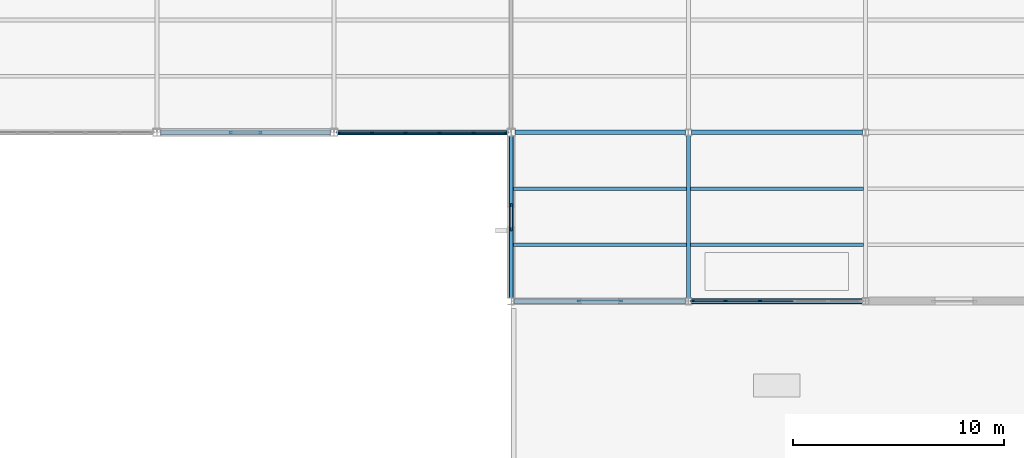
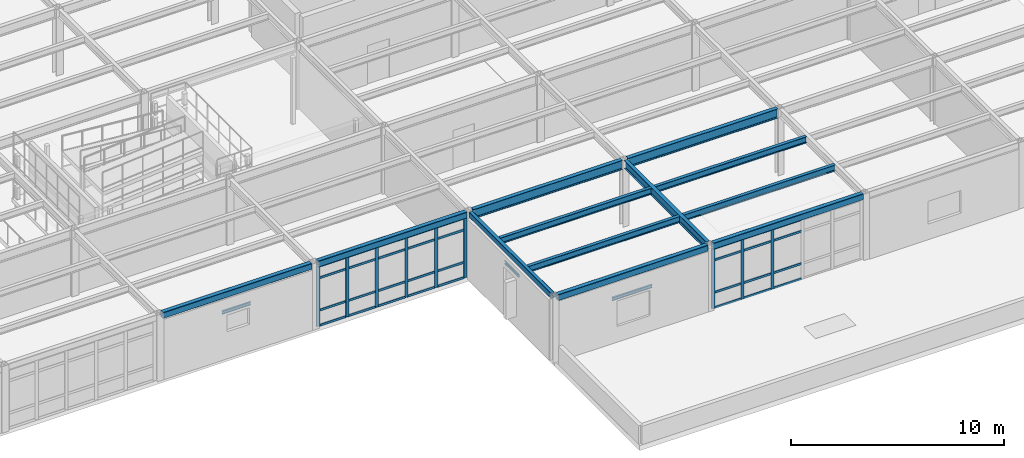
# One storey, part 21 of 138: 41 members, 15 beams, 2 elements without a shape of their own.
"""IFC4 building model written with IfcOpenShell, lengths in metres."""

from ifc_helpers import new_model, si_unit, direction, frame, origin, origin_2d, place, context, subcontext, project, spatial, rectangle, hollow_rectangle, i_section, u_section, extrude, material, layer, layer_set, material_profile, profile_set, type_object, element, aggregate, save


model = new_model("IFC4")

# Units and contexts
model_context = context("Model", 3, precision=1e-05, world=origin(), true_north=direction((0.0, 1.0)))
body_context = subcontext(model_context, "Body", "Model", "MODEL_VIEW")
ifc_project = project(units=[si_unit("LENGTHUNIT", "METRE"), si_unit("AREAUNIT", "SQUARE_METRE"), si_unit("VOLUMEUNIT", "CUBIC_METRE"), si_unit("PLANEANGLEUNIT", "RADIAN"), si_unit("MASSUNIT", "GRAM", prefix="KILO")], contexts=[model_context])

# Site, building, storey
site_placement = place(None, origin())
site = spatial("IfcSite", under=ifc_project, at=site_placement, CompositionType="ELEMENT")
building_placement = place(site_placement, origin())
building = spatial("IfcBuilding", under=site, at=building_placement, Name="Kranzveld Transit Interchange", CompositionType="ELEMENT")
storey_placement = place(building_placement, frame((0.0, 0.0, 5.43994140625)))
storey = spatial("IfcBuildingStorey", under=building, at=storey_placement, Name="L01", CompositionType="ELEMENT", Elevation=5.43994140625)

# Beam
ifc_material_1 = material(Name="Steel S355JR", Category="steel")
ifc_material_profile_1 = material_profile(ifc_material_1, i_section(OverallWidth=0.19189453125, OverallDepth=0.46337890625, WebThickness=0.010498046875, FlangeThickness=0.017578125, FilletRadius=0.01025390625, at=origin_2d()), Name="UB 457x191x89")
ifc_profile_set_1 = profile_set([ifc_material_profile_1], Name="Steel S355JR")
beam_type_1 = type_object("IfcBeamType", Name="Beam Steel UB 457x191x89 S355JR", PredefinedType="BEAM", material=ifc_profile_set_1)
beam_1_placement = place(storey_placement, frame((58.800048828125, 8.150146484375, 3.568359375), z_axis=(0.0, 1.0, 0.0), x_axis=(-1.0, 0.0, 0.0)))
element("IfcBeam", 1, at=beam_1_placement, inside=storey, type_object=beam_type_1, Name="L01 Girder 08/B-C", PredefinedType="BEAM", context=body_context, shape_type="SweptSolid", body=[
    extrude(i_section(OverallWidth=0.19189453125, OverallDepth=0.46337890625, WebThickness=0.010498046875, FlangeThickness=0.017578125, FilletRadius=0.01025390625, at=origin_2d()), origin(), (0.0, 0.0, 1.0), 7.69970703125),
])

# Curtain wall, members
ifc_material_2 = material(Name="Bronze-anodised thermally broken aluminium", Category="aluminium")
ifc_layer = layer(ifc_material_2, 0.155029296875)
ifc_layer_set = layer_set([ifc_layer], Name="Bronze-anodised thermally broken aluminium")
curtain_wall_type = type_object("IfcCurtainWallType", Name="Operations Courtyard Glazed Screen CW-6", PredefinedType="USERDEFINED", material=ifc_layer_set)
curtain_wall_1_placement = place(storey_placement, origin())
curtain_wall_1 = element("IfcCurtainWall", 2, at=curtain_wall_1_placement, inside=storey, type_object=curtain_wall_type, Name="L01 Curtain Wall 06/C-07/C", ObjectType="CURTAIN WALL", PredefinedType="USERDEFINED")
ifc_material_3 = material(Name="Bronze-anodised thermally broken aluminium", Category="aluminium")
ifc_material_profile_2 = material_profile(ifc_material_3, rectangle(XDim=0.06494140625, YDim=0.1650390625, at=origin_2d()), Name="ALU MULLION 65x165")
ifc_profile_set_2 = profile_set([ifc_material_profile_2], Name="Bronze-anodised thermally broken aluminium")
member_type_1 = type_object("IfcMemberType", Name="Curtain Wall Mullion 65x165 Alu", PredefinedType="MULLION", material=ifc_profile_set_2)
member_1_placement = place(storey_placement, frame((42.2197265625, 16.0, 0.0), z_axis=(0.0, 0.0, 1.0), x_axis=(0.0, 1.0, 0.0)))
member_1 = element("IfcMember", 3, at=member_1_placement, type_object=member_type_1, Name="CW-6 mullion 1", PredefinedType="MULLION", context=body_context, shape_type="SweptSolid", body=[
    extrude(rectangle(XDim=0.06494140625, YDim=0.1650390625, at=origin_2d()), origin(), (0.0, 0.0, 1.0), 3.449951171875),
])
member_2_placement = place(storey_placement, frame((43.79248046875, 16.0, 0.0), z_axis=(0.0, 0.0, 1.0), x_axis=(0.0, 1.0, 0.0)))
member_2 = element("IfcMember", 4, at=member_2_placement, type_object=member_type_1, Name="CW-6 mullion 2", PredefinedType="MULLION", context=body_context, shape_type="SweptSolid", body=[
    extrude(rectangle(XDim=0.06494140625, YDim=0.1650390625, at=origin_2d()), origin(), (0.0, 0.0, 1.0), 3.449951171875),
])
member_3_placement = place(storey_placement, frame((45.3974609375, 16.0, 0.0), z_axis=(0.0, 0.0, 1.0), x_axis=(0.0, 1.0, 0.0)))
member_3 = element("IfcMember", 5, at=member_3_placement, type_object=member_type_1, Name="CW-6 mullion 3", PredefinedType="MULLION", context=body_context, shape_type="SweptSolid", body=[
    extrude(rectangle(XDim=0.06494140625, YDim=0.1650390625, at=origin_2d()), origin(), (0.0, 0.0, 1.0), 3.449951171875),
])
member_4_placement = place(storey_placement, frame((47.00244140625, 16.0, 0.0), z_axis=(0.0, 0.0, 1.0), x_axis=(0.0, 1.0, 0.0)))
member_4 = element("IfcMember", 6, at=member_4_placement, type_object=member_type_1, Name="CW-6 mullion 4", PredefinedType="MULLION", context=body_context, shape_type="SweptSolid", body=[
    extrude(rectangle(XDim=0.06494140625, YDim=0.1650390625, at=origin_2d()), origin(), (0.0, 0.0, 1.0), 3.449951171875),
])
member_5_placement = place(storey_placement, frame((48.607666015625, 16.0, 0.0), z_axis=(0.0, 0.0, 1.0), x_axis=(0.0, 1.0, 0.0)))
member_5 = element("IfcMember", 7, at=member_5_placement, type_object=member_type_1, Name="CW-6 mullion 5", PredefinedType="MULLION", context=body_context, shape_type="SweptSolid", body=[
    extrude(rectangle(XDim=0.06494140625, YDim=0.1650390625, at=origin_2d()), origin(), (0.0, 0.0, 1.0), 3.449951171875),
])
member_6_placement = place(storey_placement, frame((50.18017578125, 16.0, 0.0), z_axis=(0.0, 0.0, 1.0), x_axis=(0.0, 1.0, 0.0)))
member_6 = element("IfcMember", 8, at=member_6_placement, type_object=member_type_1, Name="CW-6 mullion 6", PredefinedType="MULLION", context=body_context, shape_type="SweptSolid", body=[
    extrude(rectangle(XDim=0.06494140625, YDim=0.1650390625, at=origin_2d()), origin(), (0.0, 0.0, 1.0), 3.449951171875),
])

curtain_wall_2_placement = place(storey_placement, origin())
curtain_wall_2 = element("IfcCurtainWall", 9, at=curtain_wall_2_placement, inside=storey, type_object=curtain_wall_type, Name="L01 Curtain Wall 08/B-09/B", ObjectType="CURTAIN WALL", PredefinedType="USERDEFINED")
member_7_placement = place(storey_placement, frame((58.987060546875, 8.0, 0.0), z_axis=(0.0, 0.0, 1.0), x_axis=(0.0, 1.0, 0.0)))
member_7 = element("IfcMember", 10, at=member_7_placement, type_object=member_type_1, Name="CW-6 mullion 1", PredefinedType="MULLION", context=body_context, shape_type="SweptSolid", body=[
    extrude(rectangle(XDim=0.06494140625, YDim=0.1650390625, at=origin_2d()), origin(), (0.0, 0.0, 1.0), 3.449951171875),
])
member_8_placement = place(storey_placement, frame((60.57275390625, 8.0, 0.0), z_axis=(0.0, 0.0, 1.0), x_axis=(0.0, 1.0, 0.0)))
member_8 = element("IfcMember", 11, at=member_8_placement, type_object=member_type_1, Name="CW-6 mullion 2", PredefinedType="MULLION", context=body_context, shape_type="SweptSolid", body=[
    extrude(rectangle(XDim=0.06494140625, YDim=0.1650390625, at=origin_2d()), origin(), (0.0, 0.0, 1.0), 3.449951171875),
])
member_9_placement = place(storey_placement, frame((62.19091796875, 8.0, 0.0), z_axis=(0.0, 0.0, 1.0), x_axis=(0.0, 1.0, 0.0)))
member_9 = element("IfcMember", 12, at=member_9_placement, type_object=member_type_1, Name="CW-6 mullion 3", PredefinedType="MULLION", context=body_context, shape_type="SweptSolid", body=[
    extrude(rectangle(XDim=0.06494140625, YDim=0.1650390625, at=origin_2d()), origin(), (0.0, 0.0, 1.0), 3.449951171875),
])

# Member
ifc_material_4 = material(Name="Bronze-anodised thermally broken aluminium", Category="aluminium")
ifc_material_profile_3 = material_profile(ifc_material_4, rectangle(XDim=0.06005859375, YDim=0.125, at=origin_2d()), Name="ALU TRANSOM 60x125")
ifc_profile_set_3 = profile_set([ifc_material_profile_3], Name="Bronze-anodised thermally broken aluminium")
member_type_2 = type_object("IfcMemberType", Name="Curtain Wall Transom 60x125 Alu", PredefinedType="USERDEFINED", material=ifc_profile_set_3)
member_10_placement = place(storey_placement, frame((42.252197265625, 16.0, 0.030029296875), z_axis=(1.0, 0.0, 0.0), x_axis=(0.0, 1.0, 0.0)))
member_10 = element("IfcMember", 13, at=member_10_placement, type_object=member_type_2, Name="CW-6 transom 1.1", ObjectType="TRANSOM", PredefinedType="USERDEFINED", context=body_context, shape_type="SweptSolid", body=[
    extrude(rectangle(XDim=0.06005859375, YDim=0.125, at=origin_2d()), origin(), (0.0, 0.0, 1.0), 1.507568359375),
])

member_11_placement = place(storey_placement, frame((42.252197265625, 16.0, 0.900146484375), z_axis=(1.0, 0.0, 0.0), x_axis=(0.0, 1.0, 0.0)))
member_11 = element("IfcMember", 14, at=member_11_placement, type_object=member_type_2, Name="CW-6 transom 1.2", ObjectType="TRANSOM", PredefinedType="USERDEFINED", context=body_context, shape_type="SweptSolid", body=[
    extrude(rectangle(XDim=0.06005859375, YDim=0.125, at=origin_2d()), origin(), (0.0, 0.0, 1.0), 1.507568359375),
])

member_12_placement = place(storey_placement, frame((42.252197265625, 16.0, 2.75), z_axis=(1.0, 0.0, 0.0), x_axis=(0.0, 1.0, 0.0)))
member_12 = element("IfcMember", 15, at=member_12_placement, type_object=member_type_2, Name="CW-6 transom 1.3", ObjectType="TRANSOM", PredefinedType="USERDEFINED", context=body_context, shape_type="SweptSolid", body=[
    extrude(rectangle(XDim=0.06005859375, YDim=0.125, at=origin_2d()), origin(), (0.0, 0.0, 1.0), 1.507568359375),
])

member_13_placement = place(storey_placement, frame((42.252197265625, 16.0, 3.420166015625), z_axis=(1.0, 0.0, 0.0), x_axis=(0.0, 1.0, 0.0)))
member_13 = element("IfcMember", 16, at=member_13_placement, type_object=member_type_2, Name="CW-6 transom 1.4", ObjectType="TRANSOM", PredefinedType="USERDEFINED", context=body_context, shape_type="SweptSolid", body=[
    extrude(rectangle(XDim=0.06005859375, YDim=0.125, at=origin_2d()), origin(), (0.0, 0.0, 1.0), 1.507568359375),
])

member_14_placement = place(storey_placement, frame((43.824951171875, 16.0, 0.030029296875), z_axis=(1.0, 0.0, 0.0), x_axis=(0.0, 1.0, 0.0)))
member_14 = element("IfcMember", 17, at=member_14_placement, type_object=member_type_2, Name="CW-6 transom 2.1", ObjectType="TRANSOM", PredefinedType="USERDEFINED", context=body_context, shape_type="SweptSolid", body=[
    extrude(rectangle(XDim=0.06005859375, YDim=0.125, at=origin_2d()), origin(), (0.0, 0.0, 1.0), 1.5400390625),
])

member_15_placement = place(storey_placement, frame((43.824951171875, 16.0, 0.900146484375), z_axis=(1.0, 0.0, 0.0), x_axis=(0.0, 1.0, 0.0)))
member_15 = element("IfcMember", 18, at=member_15_placement, type_object=member_type_2, Name="CW-6 transom 2.2", ObjectType="TRANSOM", PredefinedType="USERDEFINED", context=body_context, shape_type="SweptSolid", body=[
    extrude(rectangle(XDim=0.06005859375, YDim=0.125, at=origin_2d()), origin(), (0.0, 0.0, 1.0), 1.5400390625),
])

member_16_placement = place(storey_placement, frame((43.824951171875, 16.0, 2.75), z_axis=(1.0, 0.0, 0.0), x_axis=(0.0, 1.0, 0.0)))
member_16 = element("IfcMember", 19, at=member_16_placement, type_object=member_type_2, Name="CW-6 transom 2.3", ObjectType="TRANSOM", PredefinedType="USERDEFINED", context=body_context, shape_type="SweptSolid", body=[
    extrude(rectangle(XDim=0.06005859375, YDim=0.125, at=origin_2d()), origin(), (0.0, 0.0, 1.0), 1.5400390625),
])

member_17_placement = place(storey_placement, frame((43.824951171875, 16.0, 3.420166015625), z_axis=(1.0, 0.0, 0.0), x_axis=(0.0, 1.0, 0.0)))
member_17 = element("IfcMember", 20, at=member_17_placement, type_object=member_type_2, Name="CW-6 transom 2.4", ObjectType="TRANSOM", PredefinedType="USERDEFINED", context=body_context, shape_type="SweptSolid", body=[
    extrude(rectangle(XDim=0.06005859375, YDim=0.125, at=origin_2d()), origin(), (0.0, 0.0, 1.0), 1.5400390625),
])

member_18_placement = place(storey_placement, frame((45.429931640625, 16.0, 0.030029296875), z_axis=(1.0, 0.0, 0.0), x_axis=(0.0, 1.0, 0.0)))
member_18 = element("IfcMember", 21, at=member_18_placement, type_object=member_type_2, Name="CW-6 transom 3.1", ObjectType="TRANSOM", PredefinedType="USERDEFINED", context=body_context, shape_type="SweptSolid", body=[
    extrude(rectangle(XDim=0.06005859375, YDim=0.125, at=origin_2d()), origin(), (0.0, 0.0, 1.0), 1.5400390625),
])

member_19_placement = place(storey_placement, frame((45.429931640625, 16.0, 0.900146484375), z_axis=(1.0, 0.0, 0.0), x_axis=(0.0, 1.0, 0.0)))
member_19 = element("IfcMember", 22, at=member_19_placement, type_object=member_type_2, Name="CW-6 transom 3.2", ObjectType="TRANSOM", PredefinedType="USERDEFINED", context=body_context, shape_type="SweptSolid", body=[
    extrude(rectangle(XDim=0.06005859375, YDim=0.125, at=origin_2d()), origin(), (0.0, 0.0, 1.0), 1.5400390625),
])

member_20_placement = place(storey_placement, frame((45.429931640625, 16.0, 2.75), z_axis=(1.0, 0.0, 0.0), x_axis=(0.0, 1.0, 0.0)))
member_20 = element("IfcMember", 23, at=member_20_placement, type_object=member_type_2, Name="CW-6 transom 3.3", ObjectType="TRANSOM", PredefinedType="USERDEFINED", context=body_context, shape_type="SweptSolid", body=[
    extrude(rectangle(XDim=0.06005859375, YDim=0.125, at=origin_2d()), origin(), (0.0, 0.0, 1.0), 1.5400390625),
])

member_21_placement = place(storey_placement, frame((45.429931640625, 16.0, 3.420166015625), z_axis=(1.0, 0.0, 0.0), x_axis=(0.0, 1.0, 0.0)))
member_21 = element("IfcMember", 24, at=member_21_placement, type_object=member_type_2, Name="CW-6 transom 3.4", ObjectType="TRANSOM", PredefinedType="USERDEFINED", context=body_context, shape_type="SweptSolid", body=[
    extrude(rectangle(XDim=0.06005859375, YDim=0.125, at=origin_2d()), origin(), (0.0, 0.0, 1.0), 1.5400390625),
])

member_22_placement = place(storey_placement, frame((47.03515625, 16.0, 0.030029296875), z_axis=(1.0, 0.0, 0.0), x_axis=(0.0, 1.0, 0.0)))
member_22 = element("IfcMember", 25, at=member_22_placement, type_object=member_type_2, Name="CW-6 transom 4.1", ObjectType="TRANSOM", PredefinedType="USERDEFINED", context=body_context, shape_type="SweptSolid", body=[
    extrude(rectangle(XDim=0.06005859375, YDim=0.125, at=origin_2d()), origin(), (0.0, 0.0, 1.0), 1.5400390625),
])

member_23_placement = place(storey_placement, frame((47.03515625, 16.0, 0.900146484375), z_axis=(1.0, 0.0, 0.0), x_axis=(0.0, 1.0, 0.0)))
member_23 = element("IfcMember", 26, at=member_23_placement, type_object=member_type_2, Name="CW-6 transom 4.2", ObjectType="TRANSOM", PredefinedType="USERDEFINED", context=body_context, shape_type="SweptSolid", body=[
    extrude(rectangle(XDim=0.06005859375, YDim=0.125, at=origin_2d()), origin(), (0.0, 0.0, 1.0), 1.5400390625),
])

member_24_placement = place(storey_placement, frame((47.03515625, 16.0, 2.75), z_axis=(1.0, 0.0, 0.0), x_axis=(0.0, 1.0, 0.0)))
member_24 = element("IfcMember", 27, at=member_24_placement, type_object=member_type_2, Name="CW-6 transom 4.3", ObjectType="TRANSOM", PredefinedType="USERDEFINED", context=body_context, shape_type="SweptSolid", body=[
    extrude(rectangle(XDim=0.06005859375, YDim=0.125, at=origin_2d()), origin(), (0.0, 0.0, 1.0), 1.5400390625),
])

member_25_placement = place(storey_placement, frame((47.03515625, 16.0, 3.420166015625), z_axis=(1.0, 0.0, 0.0), x_axis=(0.0, 1.0, 0.0)))
member_25 = element("IfcMember", 28, at=member_25_placement, type_object=member_type_2, Name="CW-6 transom 4.4", ObjectType="TRANSOM", PredefinedType="USERDEFINED", context=body_context, shape_type="SweptSolid", body=[
    extrude(rectangle(XDim=0.06005859375, YDim=0.125, at=origin_2d()), origin(), (0.0, 0.0, 1.0), 1.5400390625),
])

member_26_placement = place(storey_placement, frame((48.64013671875, 16.0, 0.030029296875), z_axis=(1.0, 0.0, 0.0), x_axis=(0.0, 1.0, 0.0)))
member_26 = element("IfcMember", 29, at=member_26_placement, type_object=member_type_2, Name="CW-6 transom 5.1", ObjectType="TRANSOM", PredefinedType="USERDEFINED", context=body_context, shape_type="SweptSolid", body=[
    extrude(rectangle(XDim=0.06005859375, YDim=0.125, at=origin_2d()), origin(), (0.0, 0.0, 1.0), 1.507568359375),
])

member_27_placement = place(storey_placement, frame((48.64013671875, 16.0, 0.900146484375), z_axis=(1.0, 0.0, 0.0), x_axis=(0.0, 1.0, 0.0)))
member_27 = element("IfcMember", 30, at=member_27_placement, type_object=member_type_2, Name="CW-6 transom 5.2", ObjectType="TRANSOM", PredefinedType="USERDEFINED", context=body_context, shape_type="SweptSolid", body=[
    extrude(rectangle(XDim=0.06005859375, YDim=0.125, at=origin_2d()), origin(), (0.0, 0.0, 1.0), 1.507568359375),
])

member_28_placement = place(storey_placement, frame((48.64013671875, 16.0, 2.75), z_axis=(1.0, 0.0, 0.0), x_axis=(0.0, 1.0, 0.0)))
member_28 = element("IfcMember", 31, at=member_28_placement, type_object=member_type_2, Name="CW-6 transom 5.3", ObjectType="TRANSOM", PredefinedType="USERDEFINED", context=body_context, shape_type="SweptSolid", body=[
    extrude(rectangle(XDim=0.06005859375, YDim=0.125, at=origin_2d()), origin(), (0.0, 0.0, 1.0), 1.507568359375),
])

member_29_placement = place(storey_placement, frame((48.64013671875, 16.0, 3.420166015625), z_axis=(1.0, 0.0, 0.0), x_axis=(0.0, 1.0, 0.0)))
member_29 = element("IfcMember", 32, at=member_29_placement, type_object=member_type_2, Name="CW-6 transom 5.4", ObjectType="TRANSOM", PredefinedType="USERDEFINED", context=body_context, shape_type="SweptSolid", body=[
    extrude(rectangle(XDim=0.06005859375, YDim=0.125, at=origin_2d()), origin(), (0.0, 0.0, 1.0), 1.507568359375),
])

aggregate(curtain_wall_1, [member_1, member_2, member_3, member_4, member_5, member_6, member_10, member_11, member_12, member_13, member_14, member_15, member_16, member_17, member_18, member_19, member_20, member_21, member_22, member_23, member_24, member_25, member_26, member_27, member_28, member_29])

member_30_placement = place(storey_placement, frame((59.01953125, 8.0, 0.030029296875), z_axis=(1.0, 0.0, 0.0), x_axis=(0.0, 1.0, 0.0)))
member_30 = element("IfcMember", 33, at=member_30_placement, type_object=member_type_2, Name="CW-6 transom 1.1", ObjectType="TRANSOM", PredefinedType="USERDEFINED", context=body_context, shape_type="SweptSolid", body=[
    extrude(rectangle(XDim=0.06005859375, YDim=0.125, at=origin_2d()), origin(), (0.0, 0.0, 1.0), 1.520751953125),
])

member_31_placement = place(storey_placement, frame((59.01953125, 8.0, 0.900146484375), z_axis=(1.0, 0.0, 0.0), x_axis=(0.0, 1.0, 0.0)))
member_31 = element("IfcMember", 34, at=member_31_placement, type_object=member_type_2, Name="CW-6 transom 1.2", ObjectType="TRANSOM", PredefinedType="USERDEFINED", context=body_context, shape_type="SweptSolid", body=[
    extrude(rectangle(XDim=0.06005859375, YDim=0.125, at=origin_2d()), origin(), (0.0, 0.0, 1.0), 1.520751953125),
])

member_32_placement = place(storey_placement, frame((59.01953125, 8.0, 2.75), z_axis=(1.0, 0.0, 0.0), x_axis=(0.0, 1.0, 0.0)))
member_32 = element("IfcMember", 35, at=member_32_placement, type_object=member_type_2, Name="CW-6 transom 1.3", ObjectType="TRANSOM", PredefinedType="USERDEFINED", context=body_context, shape_type="SweptSolid", body=[
    extrude(rectangle(XDim=0.06005859375, YDim=0.125, at=origin_2d()), origin(), (0.0, 0.0, 1.0), 1.520751953125),
])

member_33_placement = place(storey_placement, frame((59.01953125, 8.0, 3.420166015625), z_axis=(1.0, 0.0, 0.0), x_axis=(0.0, 1.0, 0.0)))
member_33 = element("IfcMember", 36, at=member_33_placement, type_object=member_type_2, Name="CW-6 transom 1.4", ObjectType="TRANSOM", PredefinedType="USERDEFINED", context=body_context, shape_type="SweptSolid", body=[
    extrude(rectangle(XDim=0.06005859375, YDim=0.125, at=origin_2d()), origin(), (0.0, 0.0, 1.0), 1.520751953125),
])

member_34_placement = place(storey_placement, frame((60.605224609375, 8.0, 0.030029296875), z_axis=(1.0, 0.0, 0.0), x_axis=(0.0, 1.0, 0.0)))
member_34 = element("IfcMember", 37, at=member_34_placement, type_object=member_type_2, Name="CW-6 transom 2.1", ObjectType="TRANSOM", PredefinedType="USERDEFINED", context=body_context, shape_type="SweptSolid", body=[
    extrude(rectangle(XDim=0.06005859375, YDim=0.125, at=origin_2d()), origin(), (0.0, 0.0, 1.0), 1.55322265625),
])

member_35_placement = place(storey_placement, frame((60.605224609375, 8.0, 0.900146484375), z_axis=(1.0, 0.0, 0.0), x_axis=(0.0, 1.0, 0.0)))
member_35 = element("IfcMember", 38, at=member_35_placement, type_object=member_type_2, Name="CW-6 transom 2.2", ObjectType="TRANSOM", PredefinedType="USERDEFINED", context=body_context, shape_type="SweptSolid", body=[
    extrude(rectangle(XDim=0.06005859375, YDim=0.125, at=origin_2d()), origin(), (0.0, 0.0, 1.0), 1.55322265625),
])

member_36_placement = place(storey_placement, frame((60.605224609375, 8.0, 2.75), z_axis=(1.0, 0.0, 0.0), x_axis=(0.0, 1.0, 0.0)))
member_36 = element("IfcMember", 39, at=member_36_placement, type_object=member_type_2, Name="CW-6 transom 2.3", ObjectType="TRANSOM", PredefinedType="USERDEFINED", context=body_context, shape_type="SweptSolid", body=[
    extrude(rectangle(XDim=0.06005859375, YDim=0.125, at=origin_2d()), origin(), (0.0, 0.0, 1.0), 1.55322265625),
])

member_37_placement = place(storey_placement, frame((60.605224609375, 8.0, 3.420166015625), z_axis=(1.0, 0.0, 0.0), x_axis=(0.0, 1.0, 0.0)))
member_37 = element("IfcMember", 40, at=member_37_placement, type_object=member_type_2, Name="CW-6 transom 2.4", ObjectType="TRANSOM", PredefinedType="USERDEFINED", context=body_context, shape_type="SweptSolid", body=[
    extrude(rectangle(XDim=0.06005859375, YDim=0.125, at=origin_2d()), origin(), (0.0, 0.0, 1.0), 1.55322265625),
])

member_38_placement = place(storey_placement, frame((62.223388671875, 8.0, 0.030029296875), z_axis=(1.0, 0.0, 0.0), x_axis=(0.0, 1.0, 0.0)))
member_38 = element("IfcMember", 41, at=member_38_placement, type_object=member_type_2, Name="CW-6 transom 3.1", ObjectType="TRANSOM", PredefinedType="USERDEFINED", context=body_context, shape_type="SweptSolid", body=[
    extrude(rectangle(XDim=0.06005859375, YDim=0.125, at=origin_2d()), origin(), (0.0, 0.0, 1.0), 1.55322265625),
])

member_39_placement = place(storey_placement, frame((62.223388671875, 8.0, 0.900146484375), z_axis=(1.0, 0.0, 0.0), x_axis=(0.0, 1.0, 0.0)))
member_39 = element("IfcMember", 42, at=member_39_placement, type_object=member_type_2, Name="CW-6 transom 3.2", ObjectType="TRANSOM", PredefinedType="USERDEFINED", context=body_context, shape_type="SweptSolid", body=[
    extrude(rectangle(XDim=0.06005859375, YDim=0.125, at=origin_2d()), origin(), (0.0, 0.0, 1.0), 1.55322265625),
])

member_40_placement = place(storey_placement, frame((62.223388671875, 8.0, 2.75), z_axis=(1.0, 0.0, 0.0), x_axis=(0.0, 1.0, 0.0)))
member_40 = element("IfcMember", 43, at=member_40_placement, type_object=member_type_2, Name="CW-6 transom 3.3", ObjectType="TRANSOM", PredefinedType="USERDEFINED", context=body_context, shape_type="SweptSolid", body=[
    extrude(rectangle(XDim=0.06005859375, YDim=0.125, at=origin_2d()), origin(), (0.0, 0.0, 1.0), 1.55322265625),
])

member_41_placement = place(storey_placement, frame((62.223388671875, 8.0, 3.420166015625), z_axis=(1.0, 0.0, 0.0), x_axis=(0.0, 1.0, 0.0)))
member_41 = element("IfcMember", 44, at=member_41_placement, type_object=member_type_2, Name="CW-6 transom 3.4", ObjectType="TRANSOM", PredefinedType="USERDEFINED", context=body_context, shape_type="SweptSolid", body=[
    extrude(rectangle(XDim=0.06005859375, YDim=0.125, at=origin_2d()), origin(), (0.0, 0.0, 1.0), 1.55322265625),
])

aggregate(curtain_wall_2, [member_7, member_8, member_9, member_30, member_31, member_32, member_33, member_34, member_35, member_36, member_37, member_38, member_39, member_40, member_41])

# Beams
ifc_material_5 = material(Name="Steel S355JR", Category="steel")
ifc_material_profile_4 = material_profile(ifc_material_5, hollow_rectangle(XDim=0.199951171875, YDim=0.300048828125, WallThickness=0.010009765625, InnerFilletRadius=0.014892578125, OuterFilletRadius=0.02490234375, at=origin_2d()), Name="RHS 300x200x10")
ifc_profile_set_4 = profile_set([ifc_material_profile_4], Name="Steel S355JR")
beam_type_2 = type_object("IfcBeamType", Name="Edge Spandrel RHS 300x200x10 S355JR", PredefinedType="SPANDREL", material=ifc_profile_set_4)
beam_2_placement = place(storey_placement, frame((50.39990234375, 8.150146484375, 3.650146484375), z_axis=(0.0, 1.0, 0.0), x_axis=(-1.0, 0.0, 0.0)))
element("IfcBeam", 45, at=beam_2_placement, inside=storey, type_object=beam_type_2, Name="L01 Girder 07/B-C", PredefinedType="SPANDREL", context=body_context, shape_type="SweptSolid", body=[
    extrude(hollow_rectangle(XDim=0.199951171875, YDim=0.300048828125, WallThickness=0.010009765625, InnerFilletRadius=0.014892578125, OuterFilletRadius=0.02490234375, at=origin_2d()), origin(), (0.0, 0.0, 1.0), 7.672607421875),
])
ifc_material_6 = material(Name="Steel S355JR", Category="steel")
ifc_material_profile_5 = material_profile(ifc_material_6, hollow_rectangle(XDim=0.25, YDim=0.35009765625, WallThickness=0.012451171875, InnerFilletRadius=0.018798828125, OuterFilletRadius=0.03125, at=origin_2d()), Name="RHS 350x250x12.5")
ifc_profile_set_5 = profile_set([ifc_material_profile_5], Name="Steel S355JR")
beam_type_3 = type_object("IfcBeamType", Name="Edge Spandrel RHS 350x250x12.5 S355JR", PredefinedType="SPANDREL", material=ifc_profile_set_5)
for number, where, z_axis, x_axis, name in (
    (46, (50.544677734375, 8.0, 3.625), (1.0, 0.0, 0.0), (0.0, 1.0, 0.0), "L01 Girder 07-08/B"),
    (47, (58.944580078125, 8.0, 3.625), (1.0, 0.0, 0.0), (0.0, 1.0, 0.0), "L01 Girder 08-09/B"),
):
    element("IfcBeam", number, at=place(storey_placement, frame(where, z_axis=z_axis, x_axis=x_axis)), inside=storey, type_object=beam_type_3, Name=name, PredefinedType="SPANDREL", context=body_context, shape_type="SweptSolid", body=[
        extrude(hollow_rectangle(XDim=0.25, YDim=0.35009765625, WallThickness=0.012451171875, InnerFilletRadius=0.018798828125, OuterFilletRadius=0.03125, at=origin_2d()), origin(), (0.0, 0.0, 1.0), 8.11083984375),
    ])
for number, where, z_axis, x_axis, name in (
    (48, (33.77734375, 16.0, 3.625), (1.0, 0.0, 0.0), (0.0, 1.0, 0.0), "L01 Girder 05-06/C"),
    (49, (42.17724609375, 16.0, 3.625), (1.0, 0.0, 0.0), (0.0, 1.0, 0.0), "L01 Girder 06-07/C"),
):
    element("IfcBeam", number, at=place(storey_placement, frame(where, z_axis=z_axis, x_axis=x_axis)), inside=storey, type_object=beam_type_3, Name=name, PredefinedType="SPANDREL", context=body_context, shape_type="SweptSolid", body=[
        extrude(hollow_rectangle(XDim=0.25, YDim=0.35009765625, WallThickness=0.012451171875, InnerFilletRadius=0.018798828125, OuterFilletRadius=0.03125, at=origin_2d()), origin(), (0.0, 0.0, 1.0), 8.04541015625),
    ])
ifc_material_7 = material(Name="Steel S355JR", Category="steel")
ifc_material_profile_6 = material_profile(ifc_material_7, i_section(OverallWidth=0.172119140625, OverallDepth=0.35791015625, WebThickness=0.008056640625, FlangeThickness=0.012939453125, FilletRadius=0.01025390625, at=origin_2d()), Name="UB 356x171x57")
ifc_profile_set_6 = profile_set([ifc_material_profile_6], Name="Steel S355JR")
beam_type_4 = type_object("IfcBeamType", Name="Floor Joist UB 356x171x57 S355JR", PredefinedType="JOIST", material=ifc_profile_set_6)
for number, where, z_axis, x_axis, name in (
    (50, (50.501953125, 10.666748046875, 3.62109375), (1.0, 0.0, 0.0), (0.0, 1.0, 0.0), "L01 Secondary Joist 07-08/B.1"),
    (51, (50.501953125, 13.333251953125, 3.62109375), (1.0, 0.0, 0.0), (0.0, 1.0, 0.0), "L01 Secondary Joist 07-08/B.2"),
):
    element("IfcBeam", number, at=place(storey_placement, frame(where, z_axis=z_axis, x_axis=x_axis)), inside=storey, type_object=beam_type_4, Name=name, PredefinedType="JOIST", context=body_context, shape_type="SweptSolid", body=[
        extrude(i_section(OverallWidth=0.172119140625, OverallDepth=0.35791015625, WebThickness=0.008056640625, FlangeThickness=0.012939453125, FilletRadius=0.01025390625, at=origin_2d()), origin(), (0.0, 0.0, 1.0), 8.2001953125),
    ])
for number, where, z_axis, x_axis, name in (
    (52, (58.89794921875, 10.666748046875, 3.62109375), (1.0, 0.0, 0.0), (0.0, 1.0, 0.0), "L01 Secondary Joist 08-09/B.1"),
    (53, (58.89794921875, 13.333251953125, 3.62109375), (1.0, 0.0, 0.0), (0.0, 1.0, 0.0), "L01 Secondary Joist 08-09/B.2"),
):
    element("IfcBeam", number, at=place(storey_placement, frame(where, z_axis=z_axis, x_axis=x_axis)), inside=storey, type_object=beam_type_4, Name=name, PredefinedType="JOIST", context=body_context, shape_type="SweptSolid", body=[
        extrude(i_section(OverallWidth=0.172119140625, OverallDepth=0.35791015625, WebThickness=0.008056640625, FlangeThickness=0.012939453125, FilletRadius=0.01025390625, at=origin_2d()), origin(), (0.0, 0.0, 1.0), 8.2041015625),
    ])
ifc_material_8 = material(Name="Steel S355JR", Category="steel")
ifc_material_profile_7 = material_profile(ifc_material_8, i_section(OverallWidth=0.210693359375, OverallDepth=0.53955078125, WebThickness=0.01171875, FlangeThickness=0.018798828125, FilletRadius=0.0126953125, at=origin_2d()), Name="UB 533x210x109")
ifc_profile_set_7 = profile_set([ifc_material_profile_7], Name="Steel S355JR")
beam_type_5 = type_object("IfcBeamType", Name="Girder Steel UB 533x210x109 S355JR", PredefinedType="BEAM", material=ifc_profile_set_7)
beam_3_placement = place(storey_placement, frame((50.577392578125, 16.0, 3.5302734375), z_axis=(1.0, 0.0, 0.0), x_axis=(0.0, 1.0, 0.0)))
element("IfcBeam", 54, at=beam_3_placement, inside=storey, type_object=beam_type_5, Name="L01 Girder 07-08/C", PredefinedType="BEAM", context=body_context, shape_type="SweptSolid", body=[
    extrude(i_section(OverallWidth=0.210693359375, OverallDepth=0.53955078125, WebThickness=0.01171875, FlangeThickness=0.018798828125, FilletRadius=0.0126953125, at=origin_2d()), origin(), (0.0, 0.0, 1.0), 8.078125),
])
beam_4_placement = place(storey_placement, frame((58.944580078125, 16.0, 3.5302734375), z_axis=(1.0, 0.0, 0.0), x_axis=(0.0, 1.0, 0.0)))
element("IfcBeam", 55, at=beam_4_placement, inside=storey, type_object=beam_type_5, Name="L01 Girder 08-09/C", PredefinedType="BEAM", context=body_context, shape_type="SweptSolid", body=[
    extrude(i_section(OverallWidth=0.210693359375, OverallDepth=0.53955078125, WebThickness=0.01171875, FlangeThickness=0.018798828125, FilletRadius=0.0126953125, at=origin_2d()), origin(), (0.0, 0.0, 1.0), 8.11083984375),
])
ifc_material_9 = material(Name="Steel S355JR", Category="steel")
ifc_material_profile_8 = material_profile(ifc_material_9, u_section(Depth=0.179931640625, FlangeWidth=0.070068359375, WebThickness=0.007080078125, FlangeThickness=0.010986328125, FilletRadius=0.010009765625, at=origin_2d()), Name="PFC 180x70x22")
ifc_profile_set_8 = profile_set([ifc_material_profile_8], Name="Steel S355JR")
beam_type_6 = type_object("IfcBeamType", Name="Masonry Lintel PFC 180x70x22 S355JR", PredefinedType="LINTEL", material=ifc_profile_set_8)
beam_5_placement = place(storey_placement, frame((50.39990234375, 11.33154296875, 2.844970703125), z_axis=(0.0, 1.0, 0.0), x_axis=(-1.0, 0.0, 0.0)))
element("IfcBeam", 56, at=beam_5_placement, inside=storey, type_object=beam_type_6, Name="L01 Window Lintel 057", PredefinedType="LINTEL", context=body_context, shape_type="SweptSolid", body=[
    extrude(u_section(Depth=0.179931640625, FlangeWidth=0.070068359375, WebThickness=0.007080078125, FlangeThickness=0.010986328125, FilletRadius=0.010009765625, at=origin_2d()), origin(), (0.0, 0.0, 1.0), 1.31005859375),
])
ifc_material_10 = material(Name="Steel S355JR", Category="steel")
ifc_material_profile_9 = material_profile(ifc_material_10, i_section(OverallWidth=0.091064453125, OverallDepth=0.179931640625, WebThickness=0.00537109375, FlangeThickness=0.008056640625, FilletRadius=0.009033203125, at=origin_2d()), Name="IPE 180")
ifc_profile_set_9 = profile_set([ifc_material_profile_9], Name="Steel S355JR")
beam_type_7 = type_object("IfcBeamType", Name="Opening Lintel IPE 180 S355JR", PredefinedType="LINTEL", material=ifc_profile_set_9)
beam_6_placement = place(storey_placement, frame((37.02001953125, 16.0, 2.594970703125), z_axis=(1.0, 0.0, 0.0), x_axis=(0.0, 1.0, 0.0)))
element("IfcBeam", 57, at=beam_6_placement, inside=storey, type_object=beam_type_7, Name="L01 Window Lintel 059", PredefinedType="LINTEL", context=body_context, shape_type="SweptSolid", body=[
    extrude(i_section(OverallWidth=0.091064453125, OverallDepth=0.179931640625, WebThickness=0.00537109375, FlangeThickness=0.008056640625, FilletRadius=0.009033203125, at=origin_2d()), origin(), (0.0, 0.0, 1.0), 1.56005859375),
])
beam_7_placement = place(storey_placement, frame((53.52001953125, 8.0, 2.445068359375), z_axis=(1.0, 0.0, 0.0), x_axis=(0.0, 1.0, 0.0)))
element("IfcBeam", 58, at=beam_7_placement, inside=storey, type_object=beam_type_7, Name="L01 Window Lintel 111", PredefinedType="LINTEL", context=body_context, shape_type="SweptSolid", body=[
    extrude(i_section(OverallWidth=0.091064453125, OverallDepth=0.179931640625, WebThickness=0.00537109375, FlangeThickness=0.008056640625, FilletRadius=0.009033203125, at=origin_2d()), origin(), (0.0, 0.0, 1.0), 2.159912109375),
])

save(model, "model.ifc")
